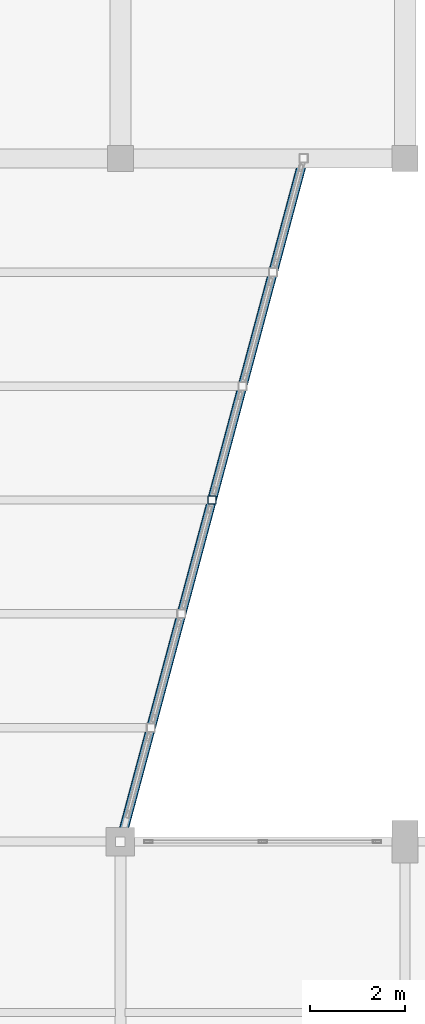
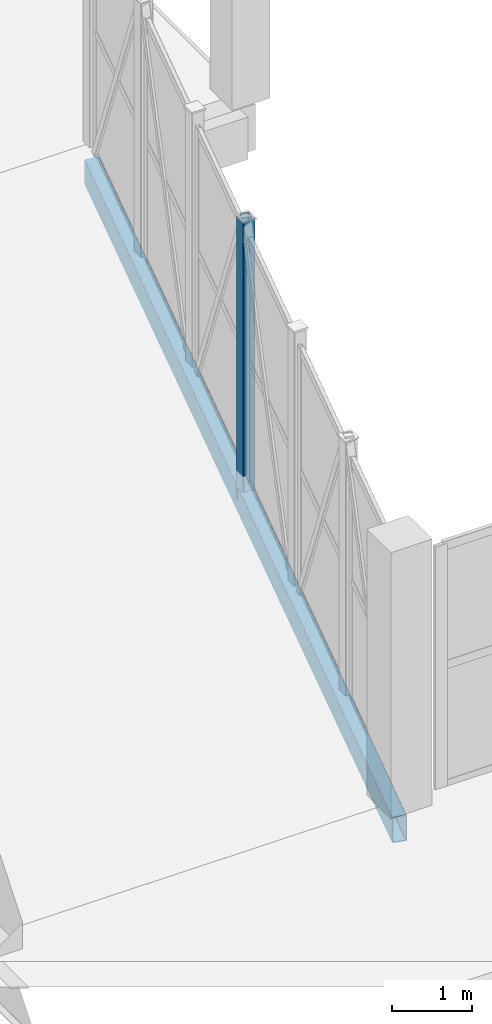
# One storey, part 82 of 127: 1 beam, 1 member.
"""IFC4 building model written with IfcOpenShell, lengths in metres."""

from ifc_helpers import new_model, si_unit, direction, frame, origin, origin_2d, place, context, subcontext, project, spatial, hollow_rectangle, extrude, material, material_profile, profile_set, type_object, element, save


model = new_model("IFC4")

# Units and contexts
model_context = context("Model", 3, precision=1e-05, world=origin(), true_north=direction((0.0, 1.0)))
body_context = subcontext(model_context, "Body", "Model", "MODEL_VIEW")
ifc_project = project(units=[si_unit("LENGTHUNIT", "METRE"), si_unit("AREAUNIT", "SQUARE_METRE"), si_unit("VOLUMEUNIT", "CUBIC_METRE"), si_unit("PLANEANGLEUNIT", "RADIAN"), si_unit("MASSUNIT", "GRAM", prefix="KILO")], contexts=[model_context])

# Site, building, storey
site_placement = place(None, origin())
site = spatial("IfcSite", under=ifc_project, at=site_placement, CompositionType="ELEMENT")
building_placement = place(site_placement, origin())
building = spatial("IfcBuilding", under=site, at=building_placement, Name="Dunvalen Ferry Terminal", CompositionType="ELEMENT")
storey_placement = place(building_placement, frame((0.0, 0.0, 5.760009765625)))
storey = spatial("IfcBuildingStorey", under=building, at=storey_placement, Name="L01", CompositionType="ELEMENT", Elevation=5.760009765625)

# Beam
ifc_material = material(Name="Steel S355", Category="steel")
ifc_material_profile_1 = material_profile(ifc_material, hollow_rectangle(XDim=0.199951171875, YDim=0.39990234375, WallThickness=0.012451171875, InnerFilletRadius=0.012451171875, OuterFilletRadius=0.02490234375, at=origin_2d()), Name="Steel S355")
ifc_profile_set_1 = profile_set([ifc_material_profile_1], Name="Steel S355")
beam_type = type_object("IfcBeamType", Name="STR-BM-RHS400", PredefinedType="BEAM", material=ifc_profile_set_1)
beam_placement = place(storey_placement, frame((138.0, 86.39990234375, -0.43994140625), z_axis=(0.258812211902, 0.965927657214, 0.0), x_axis=(-0.965927657214, 0.258812211902, 0.0)))
element("IfcBeam", 1, at=beam_placement, inside=storey, type_object=beam_type, Name="Boarding Bridge 2 Warren Bottom Chord 2", PredefinedType="BEAM", context=body_context, shape_type="SweptSolid", body=[
    extrude(hollow_rectangle(XDim=0.199951171875, YDim=0.39990234375, WallThickness=0.012451171875, InnerFilletRadius=0.012451171875, OuterFilletRadius=0.02490234375, at=origin_2d()), origin(), (0.0, 0.0, 1.0), 14.908203125),
])

# Member
ifc_material_profile_2 = material_profile(ifc_material, hollow_rectangle(XDim=0.179931640625, YDim=0.179931640625, WallThickness=0.008056640625, InnerFilletRadius=0.008056640625, OuterFilletRadius=0.01611328125, at=origin_2d()), Name="Steel S355")
ifc_profile_set_2 = profile_set([ifc_material_profile_2], Name="Steel S355")
member_type = type_object("IfcMemberType", Name="STR-MB-SHS180", PredefinedType="STRUT", material=ifc_profile_set_2)
member_placement = place(storey_placement, frame((139.92919921875, 93.60009765625, -0.43994140625), z_axis=(0.0, 0.0, 1.0), x_axis=(1.0, 0.0, 0.0)))
element("IfcMember", 2, at=member_placement, inside=storey, type_object=member_type, Name="Boarding Bridge 2 Truss Post 2.3", PredefinedType="STRUT", context=body_context, shape_type="SweptSolid", body=[
    extrude(hollow_rectangle(XDim=0.179931640625, YDim=0.179931640625, WallThickness=0.008056640625, InnerFilletRadius=0.008056640625, OuterFilletRadius=0.01611328125, at=origin_2d()), origin(), (0.0, 0.0, 1.0), 4.33984375),
])

save(model, "model.ifc")
